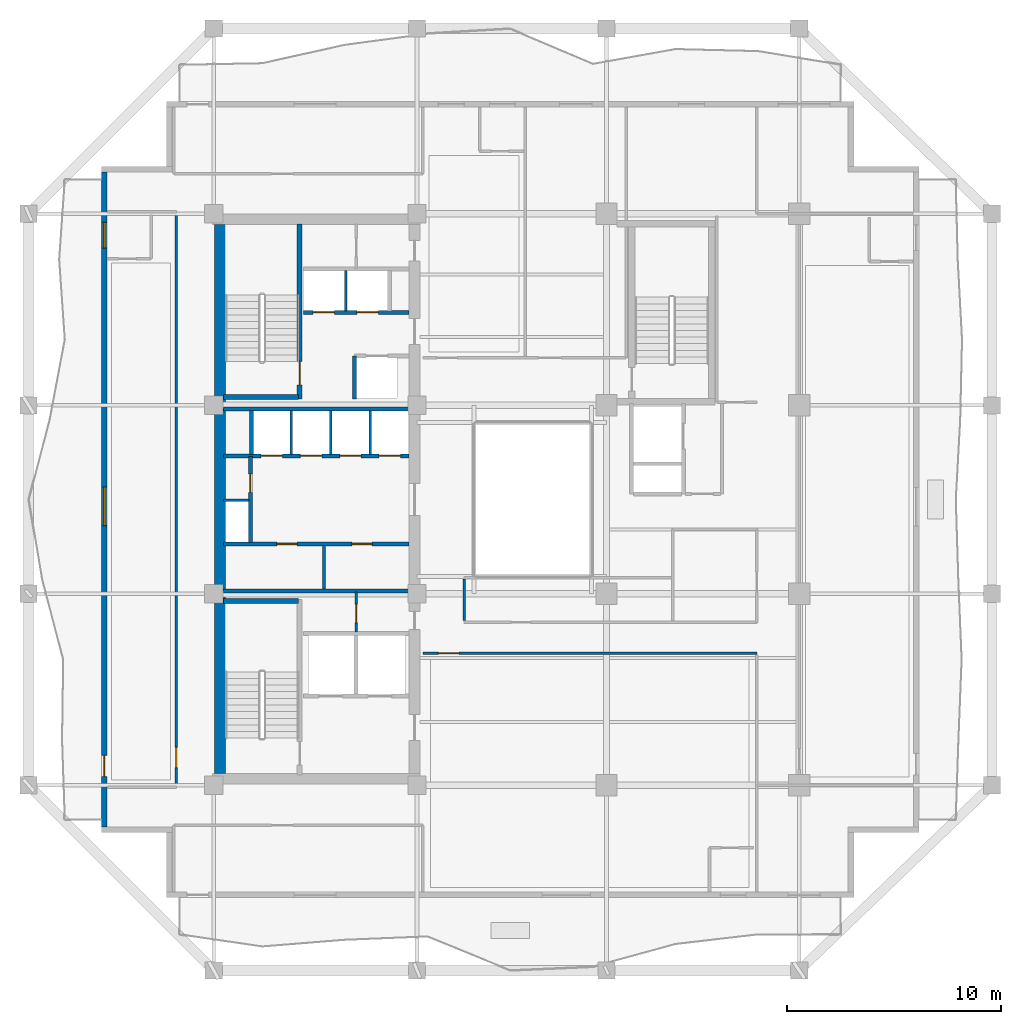
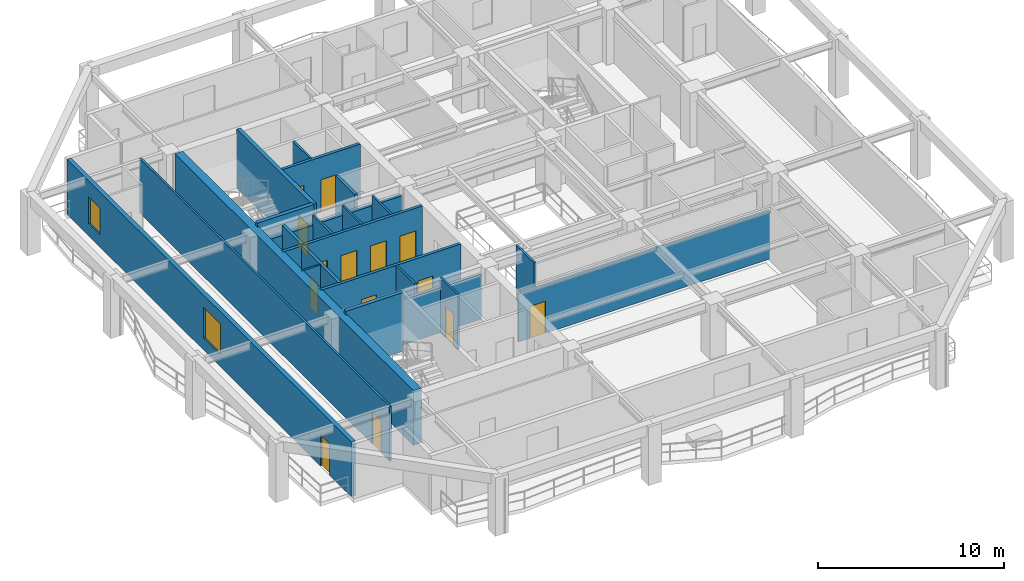
# One storey, part 3 of 10: 23 walls, 14 doors, 2 windows, 16 openings.
"""IFC4 building model written with IfcOpenShell, lengths in metres."""

import ifcopenshell
import ifcopenshell.guid

model = None  # the IFC model being written
_history = None  # IfcOwnerHistory: only IFC2X3 demands one
_inside = {}  # id of a spatial element -> (the spatial element, [elements in it])
_under = {}  # id of a project, library or spatial element -> (it, [spatial elements below it])
_declared = {}  # id of a project -> (the project, [libraries it declares])
_typed = {}  # id of a type object -> (the type object, [elements of that type])
_made_of = {}  # id of a material, layer set ... -> (it, [elements and type objects made of it])


def new_model(schema):
    """Start an empty IFC model of exactly this schema.

    Asked for "IFC4X3", IfcOpenShell would pick the latest addendum, in which some entities
    have other attributes; the version numbers below select the first issue.
    IFC2X3 requires an IfcOwnerHistory on every rooted entity: one is made here for all.
    """
    global model, _history
    if schema == "IFC4X3":
        model = ifcopenshell.file(schema_version=(4, 3, 0, 0))
    else:
        model = ifcopenshell.file(schema=schema)
    _inside.clear()
    _under.clear()
    _declared.clear()
    _typed.clear()
    _made_of.clear()
    _history = None
    if model.schema == "IFC2X3":
        org = make("IfcOrganization", Name="unknown")
        user = make(
            "IfcPersonAndOrganization",
            ThePerson=make("IfcPerson", FamilyName="unknown"),
            TheOrganization=org,
        )
        app = make(
            "IfcApplication",
            ApplicationDeveloper=org,
            Version="unknown",
            ApplicationFullName="unknown",
            ApplicationIdentifier="unknown",
        )
        _history = make(
            "IfcOwnerHistory",
            OwningUser=user,
            OwningApplication=app,
            ChangeAction="ADDED",
            CreationDate=0,
        )
    return model


def make(cls, **values):
    """One entity of the class cls with the attributes given. An attribute that is None is left unset."""
    return model.create_entity(
        cls, **{name: value for name, value in values.items() if value is not None}
    )


def rooted(cls, **values):
    """An entity with a GlobalId (a new one), such as an element, a storey or a relation."""
    return make(cls, GlobalId=ifcopenshell.guid.new(), OwnerHistory=_history, **values)


def si_unit(unit_type, name, prefix=None):
    """IfcSIUnit, for example si_unit("LENGTHUNIT", "METRE", prefix="MILLI")."""
    return make("IfcSIUnit", UnitType=unit_type, Prefix=prefix, Name=name)


def assignment(units):
    """IfcUnitAssignment: the units of a project."""
    return None if units is None else make("IfcUnitAssignment", Units=units)


def point(xyz):
    """IfcCartesianPoint."""
    return None if xyz is None else make("IfcCartesianPoint", Coordinates=xyz)


def direction(xyz):
    """IfcDirection."""
    return None if xyz is None else make("IfcDirection", DirectionRatios=xyz)


def frame(location, z_axis=None, x_axis=None):
    """IfcAxis2Placement3D, a coordinate frame: its origin and axes. An axis left out is left unset."""
    return make(
        "IfcAxis2Placement3D",
        Location=point(location),
        Axis=direction(z_axis),
        RefDirection=direction(x_axis),
    )


def frame_2d(location, x_axis=None):
    """IfcAxis2Placement2D, a coordinate frame in the plane: its origin and x axis."""
    return make(
        "IfcAxis2Placement2D", Location=point(location), RefDirection=direction(x_axis)
    )


def origin():
    """The frame at (0, 0, 0) with its axes left unset."""
    return frame((0.0, 0.0, 0.0))


def place(relative_to, where):
    """IfcLocalPlacement: puts the frame where relative to a parent placement (None: the world)."""
    return make(
        "IfcLocalPlacement", PlacementRelTo=relative_to, RelativePlacement=where
    )


def context(
    kind, dimensions, precision=None, world=None, true_north=None, identifier=None
):
    """IfcGeometricRepresentationContext, for example the 3D "Model" context."""
    return make(
        "IfcGeometricRepresentationContext",
        ContextIdentifier=identifier,
        ContextType=kind,
        CoordinateSpaceDimension=dimensions,
        Precision=precision,
        WorldCoordinateSystem=world,
        TrueNorth=true_north,
    )


def subcontext(parent, identifier, kind, view, scale=None):
    """IfcGeometricRepresentationSubContext, for example "Body" below "Model"."""
    return make(
        "IfcGeometricRepresentationSubContext",
        ContextIdentifier=identifier,
        ContextType=kind,
        ParentContext=parent,
        TargetScale=scale,
        TargetView=view,
    )


def project(units=None, contexts=None):
    """IfcProject with its units and contexts."""
    return rooted(
        "IfcProject",
        Name="project",
        RepresentationContexts=contexts,
        UnitsInContext=assignment(units),
    )


def spatial(cls, under=None, at=None, **own):
    """A site, building, storey or space (cls), placed at a placement, below another one or the project."""
    s = rooted(cls, ObjectPlacement=at, **own)
    if under is not None:
        _under.setdefault(under.id(), (under, []))[1].append(s)
    return s


def profile(cls, at=None, kind="AREA", **sizes):
    """A parametric profile (cls). Its sizes go by their IFC names, for example OverallWidth=200.0."""
    return make(cls, ProfileType=kind, Position=at, **sizes)


def rectangle(**sizes):
    """IfcRectangleProfileDef."""
    return profile("IfcRectangleProfileDef", **sizes)


def extrude(swept, where, along, depth):
    """IfcExtrudedAreaSolid: the profile swept, set in the frame where, extruded along a direction by depth."""
    return make(
        "IfcExtrudedAreaSolid",
        SweptArea=swept,
        Position=where,
        ExtrudedDirection=direction(along),
        Depth=depth,
    )


def shape(context_of_items, identifier, shape_type, items):
    """IfcShapeRepresentation: the items that make up one representation, for example the "Body"."""
    return make(
        "IfcShapeRepresentation",
        ContextOfItems=context_of_items,
        RepresentationIdentifier=identifier,
        RepresentationType=shape_type,
        Items=items,
    )


def material(Name=None, Category=None):
    """IfcMaterial."""
    return make("IfcMaterial", Name=Name, Category=Category)


def layer(
    of_material, thickness, ventilated=None, Name=None, Category=None, Priority=None
):
    """IfcMaterialLayer: one layer of a wall or slab, of a material (None: an air gap)."""
    return make(
        "IfcMaterialLayer",
        Material=of_material,
        LayerThickness=thickness,
        IsVentilated=ventilated,
        Name=Name,
        Category=Category,
        Priority=Priority,
    )


def layer_set(layers, Name=None):
    """IfcMaterialLayerSet."""
    return make("IfcMaterialLayerSet", MaterialLayers=layers, LayerSetName=Name)


def made_of(thing, what):
    """Note that an element or type object is made of a material, layer set ...; save() writes the relation."""
    if what is not None:
        _made_of.setdefault(what.id(), (what, []))[1].append(thing)
    return thing


def type_object(cls, material=None, **own):
    """A type object (cls), such as IfcWallType, which elements share."""
    return made_of(rooted(cls, **own), material)


def element(
    cls,
    number,
    at=None,
    inside=None,
    cuts=None,
    type_object=None,
    material=None,
    context=None,
    identifier="Body",
    shape_type=None,
    held_by="IfcProductDefinitionShape",
    body=None,
    shapes=None,
    **own,
):
    """One element of the class cls, such as IfcWall. Its Tag is "e" and its number.

    at: its placement. inside: the storey or other place that contains it. cuts: it is an
    opening in that element (IfcRelVoidsElement). A single representation is given by context,
    identifier, shape_type and body (its items); several are given by shapes. held_by: the class
    of the entity that holds the representations. save() writes the other relations.
    """
    e = rooted(cls, Tag="e%d" % number, ObjectPlacement=at, **own)
    if body is not None:
        shapes = [shape(context, identifier, shape_type, body)]
    if shapes is not None:
        e.Representation = make(held_by, Representations=shapes)
    if inside is not None:
        _inside.setdefault(inside.id(), (inside, []))[1].append(e)
    if cuts is not None:
        rooted(
            "IfcRelVoidsElement", RelatingBuildingElement=cuts, RelatedOpeningElement=e
        )
    if type_object is not None:
        _typed.setdefault(type_object.id(), (type_object, []))[1].append(e)
    return made_of(e, material)


def fill(opening, filler):
    """IfcRelFillsElement: the door or window that sits in an opening."""
    return rooted(
        "IfcRelFillsElement",
        RelatingOpeningElement=opening,
        RelatedBuildingElement=filler,
    )


def aggregate(whole, parts):
    """IfcRelAggregates: a whole, such as a stair, and the parts it consists of."""
    return rooted("IfcRelAggregates", RelatingObject=whole, RelatedObjects=parts)


def save(model, path):
    """Write the relations noted so far, then the file.

    IfcRelAggregates (storeys below a building ...), IfcRelContainedInSpatialStructure (elements
    in a storey), IfcRelDefinesByType, IfcRelAssociatesMaterial and IfcRelDeclares: one each for
    every whole, place, type object, material and project.
    """
    for whole, parts in _under.values():
        aggregate(whole, parts)
    for where, things in _inside.values():
        rooted(
            "IfcRelContainedInSpatialStructure",
            RelatedElements=things,
            RelatingStructure=where,
        )
    for kind, things in _typed.values():
        rooted("IfcRelDefinesByType", RelatedObjects=things, RelatingType=kind)
    for what, things in _made_of.values():
        rooted("IfcRelAssociatesMaterial", RelatedObjects=things, RelatingMaterial=what)
    for by, libraries in _declared.values():
        rooted("IfcRelDeclares", RelatingContext=by, RelatedDefinitions=libraries)
    model.write(path)


model = new_model("IFC4")

# Units and contexts
model_context = context("Model", 3, precision=1e-05, world=origin(), true_north=direction((0.0, 1.0)))
body_context = subcontext(model_context, "Body", "Model", "MODEL_VIEW")
ifc_project = project(units=[si_unit("LENGTHUNIT", "METRE"), si_unit("AREAUNIT", "SQUARE_METRE"), si_unit("VOLUMEUNIT", "CUBIC_METRE"), si_unit("PLANEANGLEUNIT", "RADIAN"), si_unit("MASSUNIT", "GRAM", prefix="KILO")], contexts=[model_context])

# Site, building, storey
site_placement = place(None, origin())
site = spatial("IfcSite", under=ifc_project, at=site_placement, CompositionType="ELEMENT")
building_placement = place(site_placement, origin())
building = spatial("IfcBuilding", under=site, at=building_placement, Name="Kundavana Baori Tower", CompositionType="ELEMENT")
storey_placement = place(building_placement, frame((0.0, 0.0, 107.85009765625)))
storey = spatial("IfcBuildingStorey", under=building, at=storey_placement, Name="L25", CompositionType="ELEMENT", Elevation=107.85009765625)

# Wall
ifc_material_1 = material(Name="Concrete C50/60", Category="concrete")
ifc_layer_1 = layer(ifc_material_1, 0.39990234375, Name="WL-CORE-400")
ifc_layer_set_1 = layer_set([ifc_layer_1], Name="Concrete C50/60")
wall_type_1 = type_object("IfcWallType", Name="WL-CORE-400", PredefinedType="SHEAR", material=ifc_layer_set_1)
wall_1_placement = place(storey_placement, frame((15.89990234375, 23.860107421875, 0.0), z_axis=(0.0, 0.0, 1.0), x_axis=(1.0, 0.0, 0.0)))
element("IfcWall", 1, at=wall_1_placement, inside=storey, type_object=wall_type_1, Name="WL-L25-ST1-N", PredefinedType="SHEAR", context=body_context, shape_type="SweptSolid", body=[
    extrude(rectangle(XDim=3.52001953125, YDim=0.239990234375, at=frame_2d((1.760009765625, 0.0))), origin(), (0.0, 0.0, 1.0), 3.849853515625),
])

# Wall, opening, door
wall_2_placement = place(storey_placement, frame((19.4599609375, 33.300048828125, 0.0), z_axis=(0.0, 0.0, 1.0), x_axis=(0.0, 1.0, 0.0)))
wall_2 = element("IfcWall", 2, at=wall_2_placement, inside=storey, type_object=wall_type_1, Name="WL-L25-ST2-E", PredefinedType="SHEAR", context=body_context, shape_type="SweptSolid", body=[
    extrude(rectangle(XDim=8.179931640625, YDim=0.239990234375, at=frame_2d((4.08984375, 0.0))), origin(), (0.0, 0.0, 1.0), 3.849853515625),
])
opening_1_placement = place(wall_2_placement, frame((0.64990234375, 0.0, 0.0)))
opening_1 = element("IfcOpeningElement", 3, at=opening_1_placement, cuts=wall_2, Name="Opening FD-110", PredefinedType="OPENING", context=body_context, shape_type="SweptSolid", body=[
    extrude(rectangle(XDim=1.10009765625, YDim=2.10009765625, at=frame_2d((0.550048828125, 1.050048828125))), frame((0.0, 0.1298828125, 0.0), z_axis=(0.0, -1.0, 0.0), x_axis=(1.0, 0.0, 0.0)), (0.0, 0.0, 1.0), 0.260009765625),
])
ifc_material_2 = material(Name="Galvanised Steel Fire-Rated Door Leaf", Category="steel")
door_type_1 = type_object("IfcDoorType", Name="DR-FD120-1100", OperationType="NOTDEFINED", PredefinedType="DOOR", material=ifc_material_2)
door_1_placement = place(opening_1_placement, origin())
door_1 = element("IfcDoor", 4, at=door_1_placement, inside=storey, type_object=door_type_1, Name="DR-L25-ST2", OperationType="SINGLE_SWING_RIGHT", OverallHeight=2.10009765625, OverallWidth=1.10009765625, PredefinedType="DOOR", context=body_context, shape_type="SweptSolid", body=[
    extrude(rectangle(XDim=1.10009765625, YDim=2.10009765625, at=frame_2d((0.550048828125, 1.050048828125))), frame((0.0, 0.02490234375, 0.0), z_axis=(0.0, -1.0, 0.0), x_axis=(1.0, 0.0, 0.0)), (0.0, 0.0, 1.0), 0.050048828125),
])
fill(opening_1, door_1)

# Walls
wall_3_placement = place(storey_placement, frame((15.89990234375, 33.389892578125, 0.0), z_axis=(0.0, 0.0, 1.0), x_axis=(1.0, 0.0, 0.0)))
element("IfcWall", 5, at=wall_3_placement, inside=storey, type_object=wall_type_1, Name="WL-L25-ST2-S", PredefinedType="SHEAR", context=body_context, shape_type="SweptSolid", body=[
    extrude(rectangle(XDim=3.52001953125, YDim=0.239990234375, at=frame_2d((1.760009765625, 0.0))), origin(), (0.0, 0.0, 1.0), 3.849853515625),
])
ifc_material_3 = material(Name="Concrete C50/60", Category="concrete")
ifc_layer_2 = layer(ifc_material_3, 0.5, Name="WL-CORE-500")
ifc_layer_set_2 = layer_set([ifc_layer_2], Name="Concrete C50/60")
wall_type_2 = type_object("IfcWallType", Name="WL-CORE-500", PredefinedType="SHEAR", material=ifc_layer_set_2)
wall_4_placement = place(storey_placement, frame((15.739990234375, 15.81005859375, 0.0), z_axis=(0.0, 0.0, 1.0), x_axis=(0.0, 1.0, 0.0)))
element("IfcWall", 6, at=wall_4_placement, inside=storey, type_object=wall_type_2, Name="L25 Offset Core West Shear Wall", PredefinedType="SHEAR", context=body_context, shape_type="SweptSolid", body=[
    extrude(rectangle(XDim=25.6298828125, YDim=0.5, at=frame_2d((12.81494140625, 0.0))), origin(), (0.0, 0.0, 1.0), 3.599853515625),
])

# Wall, openings, door, windows
ifc_material_4 = material(Name="Kiln-Fired Terracotta Brick-Slip Masonry on Concrete C40/50", Category="masonry")
ifc_layer_3 = layer(ifc_material_4, 0.260009765625, Name="WL-EXT-BRK-260")
ifc_layer_set_3 = layer_set([ifc_layer_3], Name="Kiln-Fired Terracotta Brick-Slip Masonry on Concrete C40/50")
wall_type_3 = type_object("IfcWallType", Name="WL-EXT-BRK-260", PredefinedType="SOLIDWALL", material=ifc_layer_set_3)
wall_5_placement = place(storey_placement, frame((10.330078125, 43.889892578125, 0.0), z_axis=(0.0, 0.0, 1.0), x_axis=(0.0, -1.0, 0.0)))
wall_5 = element("IfcWall", 7, at=wall_5_placement, inside=storey, type_object=wall_type_3, Name="L25 Exterior Insulated Facade Wall 10", PredefinedType="SOLIDWALL", context=body_context, shape_type="SweptSolid", body=[
    extrude(rectangle(XDim=30.579833984375, YDim=0.260009765625, at=frame_2d((15.2900390625, 0.0))), origin(), (0.0, 0.0, 1.0), 3.599853515625),
])
opening_2_placement = place(wall_5_placement, frame((27.239990234375, 0.0, 0.0)))
opening_2 = element("IfcOpeningElement", 8, at=opening_2_placement, cuts=wall_5, Name="Opening BD-1", PredefinedType="OPENING", context=body_context, shape_type="SweptSolid", body=[
    extrude(rectangle(XDim=1.0, YDim=2.050048828125, at=frame_2d((0.5, 1.02490234375))), frame((0.0, 0.14013671875, 0.0), z_axis=(0.0, -1.0, 0.0), x_axis=(1.0, 0.0, 0.0)), (0.0, 0.0, 1.0), 0.280029296875),
])
opening_3_placement = place(wall_5_placement, frame((14.7099609375, 0.0, 0.800048828125)))
opening_3 = element("IfcOpeningElement", 9, at=opening_3_placement, cuts=wall_5, Name="Opening W-01", PredefinedType="OPENING", context=body_context, shape_type="SweptSolid", body=[
    extrude(rectangle(XDim=1.800048828125, YDim=2.0, at=frame_2d((0.89990234375, 1.0))), frame((0.0, 0.14013671875, 0.0), z_axis=(0.0, -1.0, 0.0), x_axis=(1.0, 0.0, 0.0)), (0.0, 0.0, 1.0), 0.280029296875),
])
opening_4_placement = place(wall_5_placement, frame((2.344970703125, 0.0, 0.800048828125)))
opening_4 = element("IfcOpeningElement", 10, at=opening_4_placement, cuts=wall_5, Name="Opening W-03", PredefinedType="OPENING", context=body_context, shape_type="SweptSolid", body=[
    extrude(rectangle(XDim=1.199951171875, YDim=1.75, at=frame_2d((0.60009765625, 0.875))), frame((0.0, 0.14013671875, 0.0), z_axis=(0.0, -1.0, 0.0), x_axis=(1.0, 0.0, 0.0)), (0.0, 0.0, 1.0), 0.280029296875),
])
ifc_material_5 = material(Name="Architectural Patinated Bronze Metalwork")
door_type_2 = type_object("IfcDoorType", Name="DR-EXT-LOG-1000", OperationType="NOTDEFINED", PredefinedType="DOOR", material=ifc_material_5)
door_2_placement = place(opening_2_placement, frame((1.0, 0.0, 0.0), z_axis=(0.0, 0.0, 1.0), x_axis=(-1.0, 0.0, 0.0)))
door_2 = element("IfcDoor", 11, at=door_2_placement, inside=storey, type_object=door_type_2, Name="L25 Loggia Balcony Access Door W", OperationType="SINGLE_SWING_RIGHT", OverallHeight=2.050048828125, OverallWidth=1.0, PredefinedType="DOOR", context=body_context, shape_type="SweptSolid", body=[
    extrude(rectangle(XDim=1.0, YDim=2.050048828125, at=frame_2d((0.5, 1.02490234375))), frame((0.0, 0.02490234375, 0.0), z_axis=(0.0, -1.0, 0.0), x_axis=(1.0, 0.0, 0.0)), (0.0, 0.0, 1.0), 0.050048828125),
])
fill(opening_2, door_2)
ifc_material_6 = material(Name="Double-Glazed Solar-Control Low-E Insulated Glass", Category="glass")
window_type_1 = type_object("IfcWindowType", Name="WIN-LOG-1200x1750", PartitioningType="SINGLE_PANEL", PredefinedType="WINDOW", material=ifc_material_6)
window_1_placement = place(opening_4_placement, origin())
window_1 = element("IfcWindow", 12, at=window_1_placement, inside=storey, type_object=window_type_1, Name="L25 Recessed Loggia Window W-2", OverallHeight=1.75, OverallWidth=1.199951171875, PartitioningType="SINGLE_PANEL", PredefinedType="WINDOW", context=body_context, shape_type="SweptSolid", body=[
    extrude(rectangle(XDim=1.199951171875, YDim=1.75, at=frame_2d((0.60009765625, 0.875))), frame((0.0, 0.030029296875, 0.0), z_axis=(0.0, -1.0, 0.0), x_axis=(1.0, 0.0, 0.0)), (0.0, 0.0, 1.0), 0.06005859375),
])
fill(opening_4, window_1)
ifc_material_7 = material(Name="Double-Glazed Solar-Control Low-E Insulated Glass", Category="glass")
window_type_2 = type_object("IfcWindowType", Name="WIN-LOG-1800x2000", PartitioningType="SINGLE_PANEL", PredefinedType="WINDOW", material=ifc_material_7)
window_2_placement = place(opening_3_placement, origin())
window_2 = element("IfcWindow", 13, at=window_2_placement, inside=storey, type_object=window_type_2, Name="L25 Recessed Loggia Window W-1", OverallHeight=2.0, OverallWidth=1.800048828125, PartitioningType="SINGLE_PANEL", PredefinedType="WINDOW", context=body_context, shape_type="SweptSolid", body=[
    extrude(rectangle(XDim=1.800048828125, YDim=2.0, at=frame_2d((0.89990234375, 1.0))), frame((0.0, 0.030029296875, 0.0), z_axis=(0.0, -1.0, 0.0), x_axis=(1.0, 0.0, 0.0)), (0.0, 0.0, 1.0), 0.06005859375),
])
fill(opening_3, window_2)

# Wall, opening, door
ifc_material_8 = material(Name="Acoustic Gypsum Plasterboard on Galvanised Steel Studs", Category="steel")
ifc_layer_4 = layer(ifc_material_8, 0.1201171875, Name="WL-PART-120")
ifc_layer_set_4 = layer_set([ifc_layer_4], Name="Acoustic Gypsum Plasterboard on Galvanised Steel Studs")
wall_type_4 = type_object("IfcWallType", Name="WL-PART-120", PredefinedType="PARTITIONING", material=ifc_layer_set_4)
wall_6_placement = place(storey_placement, frame((22.10009765625, 22.39990234375, 0.0), z_axis=(0.0, 0.0, 1.0), x_axis=(0.0, 1.0, 0.0)))
wall_6 = element("IfcWall", 14, at=wall_6_placement, inside=storey, type_object=wall_type_4, Name="WL-L25-CSMK-D1", PredefinedType="PARTITIONING", context=body_context, shape_type="SweptSolid", body=[
    extrude(rectangle(XDim=1.880126953125, YDim=0.1201171875, at=frame_2d((0.93994140625, 0.0))), origin(), (0.0, 0.0, 1.0), 3.599853515625),
])
opening_5_placement = place(wall_6_placement, frame((0.449951171875, 0.0, 0.0)))
opening_5 = element("IfcOpeningElement", 15, at=opening_5_placement, cuts=wall_6, Name="Opening FD-085", PredefinedType="OPENING", context=body_context, shape_type="SweptSolid", body=[
    extrude(rectangle(XDim=0.85009765625, YDim=2.06005859375, at=frame_2d((0.425048828125, 1.030029296875))), frame((0.0, 0.070068359375, 0.0), z_axis=(0.0, -1.0, 0.0), x_axis=(1.0, 0.0, 0.0)), (0.0, 0.0, 1.0), 0.14013671875),
])
ifc_material_9 = material(Name="Galvanised Steel Fire-Rated Door Leaf", Category="steel")
door_type_3 = type_object("IfcDoorType", Name="DR-FD60-850", OperationType="NOTDEFINED", PredefinedType="DOOR", material=ifc_material_9)
door_3_placement = place(opening_5_placement, origin())
door_3 = element("IfcDoor", 16, at=door_3_placement, inside=storey, type_object=door_type_3, Name="DR-L25-CSMK1", OperationType="SINGLE_SWING_LEFT", OverallHeight=2.06005859375, OverallWidth=0.85009765625, PredefinedType="DOOR", context=body_context, shape_type="SweptSolid", body=[
    extrude(rectangle(XDim=0.85009765625, YDim=2.06005859375, at=frame_2d((0.425048828125, 1.030029296875))), frame((0.0, 0.02490234375, 0.0), z_axis=(0.0, -1.0, 0.0), x_axis=(1.0, 0.0, 0.0)), (0.0, 0.0, 1.0), 0.050048828125),
])
fill(opening_5, door_3)

# Walls
wall_7_placement = place(storey_placement, frame((20.60009765625, 24.419921875, 0.0), z_axis=(0.0, 0.0, 1.0), x_axis=(0.0, 1.0, 0.0)))
element("IfcWall", 17, at=wall_7_placement, inside=storey, type_object=wall_type_4, Name="WL-L25-FRLOW-DIV", PredefinedType="PARTITIONING", context=body_context, shape_type="SweptSolid", body=[
    extrude(rectangle(XDim=2.02001953125, YDim=0.1201171875, at=frame_2d((1.010009765625, 0.0))), origin(), (0.0, 0.0, 1.0), 3.599853515625),
])
wall_8_placement = place(storey_placement, frame((15.89990234375, 28.56005859375, 0.0), z_axis=(0.0, 0.0, 1.0), x_axis=(1.0, 0.0, 0.0)))
element("IfcWall", 18, at=wall_8_placement, inside=storey, type_object=wall_type_4, Name="WL-L25-RSRW-N", PredefinedType="PARTITIONING", context=body_context, shape_type="SweptSolid", body=[
    extrude(rectangle(XDim=1.2001953125, YDim=0.1201171875, at=frame_2d((0.60009765625, 0.0))), origin(), (0.0, 0.0, 1.0), 3.599853515625),
])
for number, where, z_axis, x_axis, name in (
    (19, (19.080078125, 30.699951171875, 0.0), (0.0, 0.0, 1.0), (0.0, 1.0, 0.0), "WL-L25-LPMID-D1"),
    (20, (20.919921875, 30.699951171875, 0.0), (0.0, 0.0, 1.0), (0.0, 1.0, 0.0), "WL-L25-LPMID-D2"),
    (21, (22.760009765625, 30.699951171875, 0.0), (0.0, 0.0, 1.0), (0.0, 1.0, 0.0), "WL-L25-LPMID-D3"),
):
    element("IfcWall", number, at=place(storey_placement, frame(where, z_axis=z_axis, x_axis=x_axis)), inside=storey, type_object=wall_type_4, Name=name, PredefinedType="PARTITIONING", context=body_context, shape_type="SweptSolid", body=[
        extrude(rectangle(XDim=2.050048828125, YDim=0.1201171875, at=frame_2d((1.02490234375, 0.0))), origin(), (0.0, 0.0, 1.0), 3.599853515625),
    ])
wall_9_placement = place(storey_placement, frame((21.6201171875, 37.39990234375, 0.0), z_axis=(0.0, 0.0, 1.0), x_axis=(0.0, 1.0, 0.0)))
element("IfcWall", 22, at=wall_9_placement, inside=storey, type_object=wall_type_4, Name="WL-L25-HR-DIV1", PredefinedType="PARTITIONING", context=body_context, shape_type="SweptSolid", body=[
    extrude(rectangle(XDim=1.900146484375, YDim=0.1201171875, at=frame_2d((0.9501953125, 0.0))), origin(), (0.0, 0.0, 1.0), 3.599853515625),
])

# Wall, opening, door
wall_10_placement = place(storey_placement, frame((25.219970703125, 21.419921875, 0.0), z_axis=(0.0, 0.0, 1.0), x_axis=(1.0, 0.0, 0.0)))
wall_10 = element("IfcWall", 23, at=wall_10_placement, inside=storey, type_object=wall_type_4, Name="WL-L25-HS", PredefinedType="PARTITIONING", context=body_context, shape_type="SweptSolid", body=[
    extrude(rectangle(XDim=15.60009765625, YDim=0.1201171875, at=frame_2d((7.800048828125, 0.0))), origin(), (0.0, 0.0, 1.0), 3.199951171875),
])
opening_6_placement = place(wall_10_placement, frame((0.72998046875, 0.0, 0.0)))
opening_6 = element("IfcOpeningElement", 24, at=opening_6_placement, cuts=wall_10, Name="Opening FD-095", PredefinedType="OPENING", context=body_context, shape_type="SweptSolid", body=[
    extrude(rectangle(XDim=0.949951171875, YDim=2.10009765625, at=frame_2d((0.47509765625, 1.050048828125))), frame((0.0, 0.070068359375, 0.0), z_axis=(0.0, -1.0, 0.0), x_axis=(1.0, 0.0, 0.0)), (0.0, 0.0, 1.0), 0.14013671875),
])
ifc_material_10 = material(Name="Engineered Teak Fire-Rated Timber Door Leaf", Category="wood")
door_type_4 = type_object("IfcDoorType", Name="DR-FD60-950", OperationType="NOTDEFINED", PredefinedType="DOOR", material=ifc_material_10)
door_4_placement = place(opening_6_placement, frame((0.949951171875, 0.0, 0.0), z_axis=(0.0, 0.0, 1.0), x_axis=(-1.0, 0.0, 0.0)))
door_4 = element("IfcDoor", 25, at=door_4_placement, inside=storey, type_object=door_type_4, Name="DR-L25-HK-S1-ENT", OperationType="SINGLE_SWING_RIGHT", OverallHeight=2.10009765625, OverallWidth=0.949951171875, PredefinedType="DOOR", context=body_context, shape_type="SweptSolid", body=[
    extrude(rectangle(XDim=0.949951171875, YDim=2.10009765625, at=frame_2d((0.47509765625, 1.050048828125))), frame((0.0, 0.02490234375, 0.0), z_axis=(0.0, -1.0, 0.0), x_axis=(1.0, 0.0, 0.0)), (0.0, 0.0, 1.0), 0.050048828125),
])
fill(opening_6, door_4)

wall_11_placement = place(storey_placement, frame((13.699951171875, 15.159912109375, 0.0), z_axis=(0.0, 0.0, 1.0), x_axis=(0.0, 1.0, 0.0)))
wall_11 = element("IfcWall", 26, at=wall_11_placement, inside=storey, type_object=wall_type_4, Name="WL-L25-HW", PredefinedType="PARTITIONING", context=body_context, shape_type="SweptSolid", body=[
    extrude(rectangle(XDim=26.880126953125, YDim=0.1201171875, at=frame_2d((13.43994140625, 0.0))), origin(), (0.0, 0.0, 1.0), 3.599853515625),
])
opening_7_placement = place(wall_11_placement, frame((0.909912109375, 0.0, 0.0)))
opening_7 = element("IfcOpeningElement", 27, at=opening_7_placement, cuts=wall_11, Name="Opening FD-095", PredefinedType="OPENING", context=body_context, shape_type="SweptSolid", body=[
    extrude(rectangle(XDim=0.949951171875, YDim=2.10009765625, at=frame_2d((0.47509765625, 1.050048828125))), frame((0.0, 0.070068359375, 0.0), z_axis=(0.0, -1.0, 0.0), x_axis=(1.0, 0.0, 0.0)), (0.0, 0.0, 1.0), 0.14013671875),
])
door_5_placement = place(opening_7_placement, origin())
door_5 = element("IfcDoor", 28, at=door_5_placement, inside=storey, type_object=door_type_4, Name="DR-L25-HK-W1-ENT", OperationType="SINGLE_SWING_LEFT", OverallHeight=2.10009765625, OverallWidth=0.949951171875, PredefinedType="DOOR", context=body_context, shape_type="SweptSolid", body=[
    extrude(rectangle(XDim=0.949951171875, YDim=2.10009765625, at=frame_2d((0.47509765625, 1.050048828125))), frame((0.0, 0.02490234375, 0.0), z_axis=(0.0, -1.0, 0.0), x_axis=(1.0, 0.0, 0.0)), (0.0, 0.0, 1.0), 0.050048828125),
])
fill(opening_7, door_5)

# Wall
wall_12_placement = place(storey_placement, frame((27.14990234375, 22.93994140625, 0.0), z_axis=(0.0, 0.0, 1.0), x_axis=(0.0, 1.0, 0.0)))
element("IfcWall", 29, at=wall_12_placement, inside=storey, type_object=wall_type_4, Name="WL-L25-HPN2", PredefinedType="PARTITIONING", context=body_context, shape_type="SweptSolid", body=[
    extrude(rectangle(XDim=1.93994140625, YDim=0.1201171875, at=frame_2d((0.969970703125, 0.0))), origin(), (0.0, 0.0, 1.0), 3.599853515625),
])

# Wall, openings, doors
ifc_material_11 = material(Name="Autoclaved Aerated Concrete Blockwork Masonry", Category="masonry")
ifc_layer_5 = layer(ifc_material_11, 0.179931640625, Name="WL-SHAFT-180")
ifc_layer_set_5 = layer_set([ifc_layer_5], Name="Autoclaved Aerated Concrete Blockwork Masonry")
wall_type_5 = type_object("IfcWallType", Name="WL-SHAFT-180", PredefinedType="SOLIDWALL", material=ifc_layer_set_5)
wall_13_placement = place(storey_placement, frame((15.89990234375, 26.52001953125, 0.0), z_axis=(0.0, 0.0, 1.0), x_axis=(1.0, 0.0, 0.0)))
wall_13 = element("IfcWall", 30, at=wall_13_placement, inside=storey, type_object=wall_type_5, Name="WL-L25-LPLOW-N", PredefinedType="SOLIDWALL", context=body_context, shape_type="SweptSolid", body=[
    extrude(rectangle(XDim=8.68017578125, YDim=0.179931640625, at=frame_2d((4.340087890625, 0.0))), origin(), (0.0, 0.0, 1.0), 3.599853515625),
])
opening_8_placement = place(wall_13_placement, frame((2.5, 0.0, 0.0)))
opening_8 = element("IfcOpeningElement", 31, at=opening_8_placement, cuts=wall_13, Name="Opening FD-095", PredefinedType="OPENING", context=body_context, shape_type="SweptSolid", body=[
    extrude(rectangle(XDim=0.949951171875, YDim=2.10009765625, at=frame_2d((0.47509765625, 1.050048828125))), frame((0.0, 0.10009765625, 0.0), z_axis=(0.0, -1.0, 0.0), x_axis=(1.0, 0.0, 0.0)), (0.0, 0.0, 1.0), 0.199951171875),
])
opening_9_placement = place(wall_13_placement, frame((6.0, 0.0, 0.0)))
opening_9 = element("IfcOpeningElement", 32, at=opening_9_placement, cuts=wall_13, Name="Opening FD-095", PredefinedType="OPENING", context=body_context, shape_type="SweptSolid", body=[
    extrude(rectangle(XDim=0.949951171875, YDim=2.10009765625, at=frame_2d((0.47509765625, 1.050048828125))), frame((0.0, 0.10009765625, 0.0), z_axis=(0.0, -1.0, 0.0), x_axis=(1.0, 0.0, 0.0)), (0.0, 0.0, 1.0), 0.199951171875),
])
door_6_placement = place(opening_8_placement, origin())
door_6 = element("IfcDoor", 33, at=door_6_placement, inside=storey, type_object=door_type_4, Name="DR-L25-FRLOW1", OperationType="SINGLE_SWING_LEFT", OverallHeight=2.10009765625, OverallWidth=0.949951171875, PredefinedType="DOOR", context=body_context, shape_type="SweptSolid", body=[
    extrude(rectangle(XDim=0.949951171875, YDim=2.10009765625, at=frame_2d((0.47509765625, 1.050048828125))), frame((0.0, 0.02490234375, 0.0), z_axis=(0.0, -1.0, 0.0), x_axis=(1.0, 0.0, 0.0)), (0.0, 0.0, 1.0), 0.050048828125),
])
fill(opening_8, door_6)
door_7_placement = place(opening_9_placement, origin())
door_7 = element("IfcDoor", 34, at=door_7_placement, inside=storey, type_object=door_type_4, Name="DR-L25-FRLOW2", OperationType="SINGLE_SWING_RIGHT", OverallHeight=2.10009765625, OverallWidth=0.949951171875, PredefinedType="DOOR", context=body_context, shape_type="SweptSolid", body=[
    extrude(rectangle(XDim=0.949951171875, YDim=2.10009765625, at=frame_2d((0.47509765625, 1.050048828125))), frame((0.0, 0.02490234375, 0.0), z_axis=(0.0, -1.0, 0.0), x_axis=(1.0, 0.0, 0.0)), (0.0, 0.0, 1.0), 0.050048828125),
])
fill(opening_9, door_7)

# Wall
wall_14_placement = place(storey_placement, frame((15.89990234375, 24.330078125, 0.0), z_axis=(0.0, 0.0, 1.0), x_axis=(1.0, 0.0, 0.0)))
element("IfcWall", 35, at=wall_14_placement, inside=storey, type_object=wall_type_5, Name="WL-L25-LPLOW-S", PredefinedType="SOLIDWALL", context=body_context, shape_type="SweptSolid", body=[
    extrude(rectangle(XDim=8.68017578125, YDim=0.179931640625, at=frame_2d((4.340087890625, 0.0))), origin(), (0.0, 0.0, 1.0), 2.949951171875),
])

# Wall, opening, door
wall_15_placement = place(storey_placement, frame((17.159912109375, 26.580078125, 0.0), z_axis=(0.0, 0.0, 1.0), x_axis=(0.0, 1.0, 0.0)))
wall_15 = element("IfcWall", 36, at=wall_15_placement, inside=storey, type_object=wall_type_5, Name="WL-L25-RSRW-E", PredefinedType="SOLIDWALL", context=body_context, shape_type="SweptSolid", body=[
    extrude(rectangle(XDim=4.02001953125, YDim=0.179931640625, at=frame_2d((2.010009765625, 0.0))), origin(), (0.0, 0.0, 1.0), 3.599853515625),
])
opening_10_placement = place(wall_15_placement, frame((2.35009765625, 0.0, 0.0)))
opening_10 = element("IfcOpeningElement", 37, at=opening_10_placement, cuts=wall_15, Name="Opening FD-085", PredefinedType="OPENING", context=body_context, shape_type="SweptSolid", body=[
    extrude(rectangle(XDim=0.85009765625, YDim=2.06005859375, at=frame_2d((0.425048828125, 1.030029296875))), frame((0.0, 0.10009765625, 0.0), z_axis=(0.0, -1.0, 0.0), x_axis=(1.0, 0.0, 0.0)), (0.0, 0.0, 1.0), 0.199951171875),
])
door_8_placement = place(opening_10_placement, origin())
door_8 = element("IfcDoor", 38, at=door_8_placement, inside=storey, type_object=door_type_3, Name="DR-L25-CLN", OperationType="SINGLE_SWING_RIGHT", OverallHeight=2.06005859375, OverallWidth=0.85009765625, PredefinedType="DOOR", context=body_context, shape_type="SweptSolid", body=[
    extrude(rectangle(XDim=0.85009765625, YDim=2.06005859375, at=frame_2d((0.425048828125, 1.030029296875))), frame((0.0, 0.02490234375, 0.0), z_axis=(0.0, -1.0, 0.0), x_axis=(1.0, 0.0, 0.0)), (0.0, 0.0, 1.0), 0.050048828125),
])
fill(opening_10, door_8)

# Wall, openings, doors
wall_16_placement = place(storey_placement, frame((15.89990234375, 30.639892578125, 0.0), z_axis=(0.0, 0.0, 1.0), x_axis=(1.0, 0.0, 0.0)))
wall_16 = element("IfcWall", 39, at=wall_16_placement, inside=storey, type_object=wall_type_5, Name="WL-L25-LPMID-S", PredefinedType="SOLIDWALL", context=body_context, shape_type="SweptSolid", body=[
    extrude(rectangle(XDim=8.68017578125, YDim=0.179931640625, at=frame_2d((4.340087890625, 0.0))), origin(), (0.0, 0.0, 1.0), 3.599853515625),
])
opening_11_placement = place(wall_16_placement, frame((1.760009765625, 0.0, 0.0)))
opening_11 = element("IfcOpeningElement", 40, at=opening_11_placement, cuts=wall_16, Name="Opening LD-100", PredefinedType="OPENING", context=body_context, shape_type="SweptSolid", body=[
    extrude(rectangle(XDim=1.0, YDim=2.10009765625, at=frame_2d((0.5, 1.050048828125))), frame((0.0, 0.10009765625, 0.0), z_axis=(0.0, -1.0, 0.0), x_axis=(1.0, 0.0, 0.0)), (0.0, 0.0, 1.0), 0.199951171875),
])
opening_12_placement = place(wall_16_placement, frame((3.60009765625, 0.0, 0.0)))
opening_12 = element("IfcOpeningElement", 41, at=opening_12_placement, cuts=wall_16, Name="Opening LD-100", PredefinedType="OPENING", context=body_context, shape_type="SweptSolid", body=[
    extrude(rectangle(XDim=1.0, YDim=2.10009765625, at=frame_2d((0.5, 1.050048828125))), frame((0.0, 0.10009765625, 0.0), z_axis=(0.0, -1.0, 0.0), x_axis=(1.0, 0.0, 0.0)), (0.0, 0.0, 1.0), 0.199951171875),
])
opening_13_placement = place(wall_16_placement, frame((5.43994140625, 0.0, 0.0)))
opening_13 = element("IfcOpeningElement", 42, at=opening_13_placement, cuts=wall_16, Name="Opening LD-100", PredefinedType="OPENING", context=body_context, shape_type="SweptSolid", body=[
    extrude(rectangle(XDim=1.0, YDim=2.10009765625, at=frame_2d((0.5, 1.050048828125))), frame((0.0, 0.10009765625, 0.0), z_axis=(0.0, -1.0, 0.0), x_axis=(1.0, 0.0, 0.0)), (0.0, 0.0, 1.0), 0.199951171875),
])
opening_14_placement = place(wall_16_placement, frame((7.280029296875, 0.0, 0.0)))
opening_14 = element("IfcOpeningElement", 43, at=opening_14_placement, cuts=wall_16, Name="Opening LD-100", PredefinedType="OPENING", context=body_context, shape_type="SweptSolid", body=[
    extrude(rectangle(XDim=1.0, YDim=2.10009765625, at=frame_2d((0.5, 1.050048828125))), frame((0.0, 0.10009765625, 0.0), z_axis=(0.0, -1.0, 0.0), x_axis=(1.0, 0.0, 0.0)), (0.0, 0.0, 1.0), 0.199951171875),
])
ifc_material_12 = material(Name="Galvanised Steel Fire-Rated Door Leaf", Category="steel")
door_type_5 = type_object("IfcDoorType", Name="DR-SLIDE-LD1000", OperationType="NOTDEFINED", PredefinedType="DOOR", material=ifc_material_12)
door_9_placement = place(opening_11_placement, frame((1.0, 0.0, 0.0), z_axis=(0.0, 0.0, 1.0), x_axis=(-1.0, 0.0, 0.0)))
door_9 = element("IfcDoor", 44, at=door_9_placement, inside=storey, type_object=door_type_5, Name="DR-L25-LD-LP-05", OperationType="DOUBLE_DOOR_SLIDING", OverallHeight=2.10009765625, OverallWidth=1.0, PredefinedType="DOOR", context=body_context, shape_type="SweptSolid", body=[
    extrude(rectangle(XDim=1.0, YDim=2.10009765625, at=frame_2d((0.5, 1.050048828125))), frame((0.0, 0.02490234375, 0.0), z_axis=(0.0, -1.0, 0.0), x_axis=(1.0, 0.0, 0.0)), (0.0, 0.0, 1.0), 0.050048828125),
])
fill(opening_11, door_9)
door_10_placement = place(opening_12_placement, frame((1.0, 0.0, 0.0), z_axis=(0.0, 0.0, 1.0), x_axis=(-1.0, 0.0, 0.0)))
door_10 = element("IfcDoor", 45, at=door_10_placement, inside=storey, type_object=door_type_5, Name="DR-L25-LD-LP-06", OperationType="DOUBLE_DOOR_SLIDING", OverallHeight=2.10009765625, OverallWidth=1.0, PredefinedType="DOOR", context=body_context, shape_type="SweptSolid", body=[
    extrude(rectangle(XDim=1.0, YDim=2.10009765625, at=frame_2d((0.5, 1.050048828125))), frame((0.0, 0.02490234375, 0.0), z_axis=(0.0, -1.0, 0.0), x_axis=(1.0, 0.0, 0.0)), (0.0, 0.0, 1.0), 0.050048828125),
])
fill(opening_12, door_10)
door_11_placement = place(opening_13_placement, frame((1.0, 0.0, 0.0), z_axis=(0.0, 0.0, 1.0), x_axis=(-1.0, 0.0, 0.0)))
door_11 = element("IfcDoor", 46, at=door_11_placement, inside=storey, type_object=door_type_5, Name="DR-L25-LD-LP-07", OperationType="DOUBLE_DOOR_SLIDING", OverallHeight=2.10009765625, OverallWidth=1.0, PredefinedType="DOOR", context=body_context, shape_type="SweptSolid", body=[
    extrude(rectangle(XDim=1.0, YDim=2.10009765625, at=frame_2d((0.5, 1.050048828125))), frame((0.0, 0.02490234375, 0.0), z_axis=(0.0, -1.0, 0.0), x_axis=(1.0, 0.0, 0.0)), (0.0, 0.0, 1.0), 0.050048828125),
])
fill(opening_13, door_11)
door_12_placement = place(opening_14_placement, frame((1.0, 0.0, 0.0), z_axis=(0.0, 0.0, 1.0), x_axis=(-1.0, 0.0, 0.0)))
door_12 = element("IfcDoor", 47, at=door_12_placement, inside=storey, type_object=door_type_5, Name="DR-L25-LD-LP-08", OperationType="DOUBLE_DOOR_SLIDING", OverallHeight=2.10009765625, OverallWidth=1.0, PredefinedType="DOOR", context=body_context, shape_type="SweptSolid", body=[
    extrude(rectangle(XDim=1.0, YDim=2.10009765625, at=frame_2d((0.5, 1.050048828125))), frame((0.0, 0.02490234375, 0.0), z_axis=(0.0, -1.0, 0.0), x_axis=(1.0, 0.0, 0.0)), (0.0, 0.0, 1.0), 0.050048828125),
])
fill(opening_14, door_12)

# Walls
wall_17_placement = place(storey_placement, frame((15.89990234375, 32.820068359375, 0.0), z_axis=(0.0, 0.0, 1.0), x_axis=(1.0, 0.0, 0.0)))
element("IfcWall", 48, at=wall_17_placement, inside=storey, type_object=wall_type_5, Name="WL-L25-LPMID-N", PredefinedType="SOLIDWALL", context=body_context, shape_type="SweptSolid", body=[
    extrude(rectangle(XDim=8.68017578125, YDim=0.179931640625, at=frame_2d((4.340087890625, 0.0))), origin(), (0.0, 0.0, 1.0), 2.949951171875),
])
wall_18_placement = place(storey_placement, frame((17.219970703125, 30.699951171875, 0.0), z_axis=(0.0, 0.0, 1.0), x_axis=(0.0, 1.0, 0.0)))
element("IfcWall", 49, at=wall_18_placement, inside=storey, type_object=wall_type_5, Name="WL-L25-LPMID-W", PredefinedType="SOLIDWALL", context=body_context, shape_type="SweptSolid", body=[
    extrude(rectangle(XDim=2.050048828125, YDim=0.179931640625, at=frame_2d((1.02490234375, 0.0))), origin(), (0.0, 0.0, 1.0), 3.599853515625),
])
wall_19_placement = place(storey_placement, frame((22.02001953125, 33.300048828125, 0.0), z_axis=(0.0, 0.0, 1.0), x_axis=(0.0, 1.0, 0.0)))
element("IfcWall", 50, at=wall_19_placement, inside=storey, type_object=wall_type_5, Name="WL-L25-LP11-W", PredefinedType="SOLIDWALL", context=body_context, shape_type="SweptSolid", body=[
    extrude(rectangle(XDim=2.010009765625, YDim=0.179931640625, at=frame_2d((1.0048828125, 0.0))), origin(), (0.0, 0.0, 1.0), 3.599853515625),
])

# Wall, openings, doors
wall_20_placement = place(storey_placement, frame((19.639892578125, 37.340087890625, 0.0), z_axis=(0.0, 0.0, 1.0), x_axis=(1.0, 0.0, 0.0)))
wall_20 = element("IfcWall", 51, at=wall_20_placement, inside=storey, type_object=wall_type_5, Name="WL-L25-HRLOB-N", PredefinedType="SOLIDWALL", context=body_context, shape_type="SweptSolid", body=[
    extrude(rectangle(XDim=4.940185546875, YDim=0.179931640625, at=frame_2d((2.47021484375, 0.0))), origin(), (0.0, 0.0, 1.0), 3.599853515625),
])
opening_15_placement = place(wall_20_placement, frame((0.449951171875, 0.0, 0.0)))
opening_15 = element("IfcOpeningElement", 52, at=opening_15_placement, cuts=wall_20, Name="Opening LD-100", PredefinedType="OPENING", context=body_context, shape_type="SweptSolid", body=[
    extrude(rectangle(XDim=1.0, YDim=2.10009765625, at=frame_2d((0.5, 1.050048828125))), frame((0.0, 0.10009765625, 0.0), z_axis=(0.0, -1.0, 0.0), x_axis=(1.0, 0.0, 0.0)), (0.0, 0.0, 1.0), 0.199951171875),
])
opening_16_placement = place(wall_20_placement, frame((2.5, 0.0, 0.0)))
opening_16 = element("IfcOpeningElement", 53, at=opening_16_placement, cuts=wall_20, Name="Opening LD-100", PredefinedType="OPENING", context=body_context, shape_type="SweptSolid", body=[
    extrude(rectangle(XDim=1.0, YDim=2.10009765625, at=frame_2d((0.5, 1.050048828125))), frame((0.0, 0.10009765625, 0.0), z_axis=(0.0, -1.0, 0.0), x_axis=(1.0, 0.0, 0.0)), (0.0, 0.0, 1.0), 0.199951171875),
])
door_13_placement = place(opening_15_placement, frame((1.0, 0.0, 0.0), z_axis=(0.0, 0.0, 1.0), x_axis=(-1.0, 0.0, 0.0)))
door_13 = element("IfcDoor", 54, at=door_13_placement, inside=storey, type_object=door_type_5, Name="DR-L25-LD-LP09", OperationType="DOUBLE_DOOR_SLIDING", OverallHeight=2.10009765625, OverallWidth=1.0, PredefinedType="DOOR", context=body_context, shape_type="SweptSolid", body=[
    extrude(rectangle(XDim=1.0, YDim=2.10009765625, at=frame_2d((0.5, 1.050048828125))), frame((0.0, 0.02490234375, 0.0), z_axis=(0.0, -1.0, 0.0), x_axis=(1.0, 0.0, 0.0)), (0.0, 0.0, 1.0), 0.050048828125),
])
fill(opening_15, door_13)
door_14_placement = place(opening_16_placement, frame((1.0, 0.0, 0.0), z_axis=(0.0, 0.0, 1.0), x_axis=(-1.0, 0.0, 0.0)))
door_14 = element("IfcDoor", 55, at=door_14_placement, inside=storey, type_object=door_type_5, Name="DR-L25-LD-LP10", OperationType="DOUBLE_DOOR_SLIDING", OverallHeight=2.10009765625, OverallWidth=1.0, PredefinedType="DOOR", context=body_context, shape_type="SweptSolid", body=[
    extrude(rectangle(XDim=1.0, YDim=2.10009765625, at=frame_2d((0.5, 1.050048828125))), frame((0.0, 0.02490234375, 0.0), z_axis=(0.0, -1.0, 0.0), x_axis=(1.0, 0.0, 0.0)), (0.0, 0.0, 1.0), 0.050048828125),
])
fill(opening_16, door_14)

save(model, "model.ifc")
